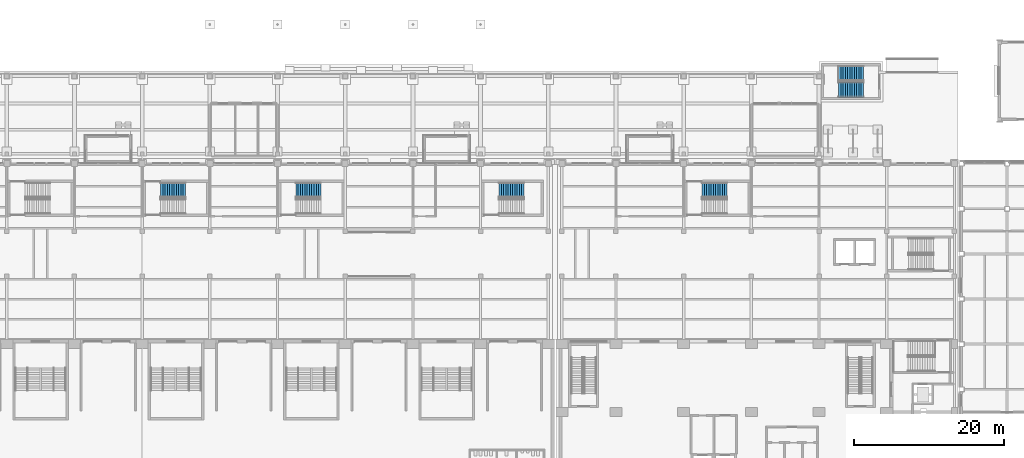
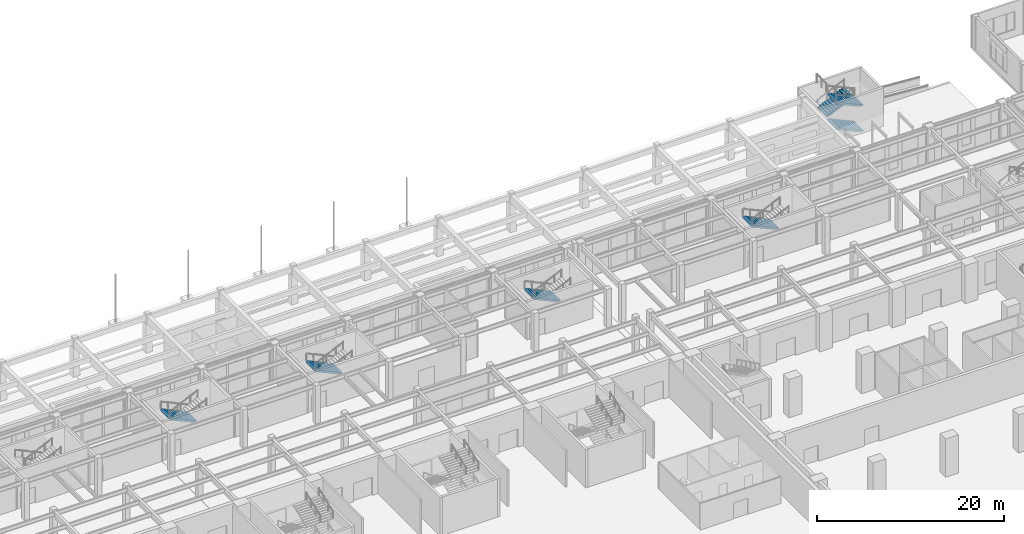
# One storey, part 60 of 77: 7 stair flights, 5 elements without a shape of their own.
"""IFC4 building model written with IfcOpenShell, lengths in metres."""

from ifc_helpers import new_model, si_unit, direction, frame, origin, place, context, subcontext, project, spatial, polyline, outline, extrude, material, type_object, element, aggregate, save


model = new_model("IFC4")

# Units and contexts
model_context = context("Model", 3, precision=1e-05, world=origin(), true_north=direction((0.0, 1.0)))
body_context = subcontext(model_context, "Body", "Model", "MODEL_VIEW")
ifc_project = project(units=[si_unit("LENGTHUNIT", "METRE"), si_unit("AREAUNIT", "SQUARE_METRE"), si_unit("VOLUMEUNIT", "CUBIC_METRE"), si_unit("PLANEANGLEUNIT", "RADIAN"), si_unit("MASSUNIT", "GRAM", prefix="KILO")], contexts=[model_context])

# Site, building, storey
site_placement = place(None, origin())
site = spatial("IfcSite", under=ifc_project, at=site_placement, CompositionType="ELEMENT")
building_placement = place(site_placement, origin())
building = spatial("IfcBuilding", under=site, at=building_placement, Name="Aravalli Gate Trade Fair Centre", CompositionType="ELEMENT")
storey_placement = place(building_placement, origin())
storey = spatial("IfcBuildingStorey", under=building, at=storey_placement, Name="L00", CompositionType="ELEMENT", Elevation=0.0)

# Stair, stair flight
ifc_material = material(Name="Concrete M30", Category="concrete")
stair_type = type_object("IfcStairType", Name="Concourse stair, 2000 wide", PredefinedType="HALF_TURN_STAIR", material=ifc_material)
stair_1_placement = place(storey_placement, origin())
stair_1 = element("IfcStair", 1, at=stair_1_placement, inside=storey, type_object=stair_type, Name="Stair XB L00", PredefinedType="HALF_TURN_STAIR")
stair_flight_type = type_object("IfcStairFlightType", Name="Concourse stair flight 2000", PredefinedType="STRAIGHT", material=ifc_material)
stair_flight_1_placement = place(storey_placement, frame((56.75, 129.5, 1.666748046875), z_axis=(0.0, 0.0, 1.0), x_axis=(-1.0, 0.0, 0.0)))
stair_flight_1 = element("IfcStairFlight", 2, at=stair_flight_1_placement, type_object=stair_flight_type, Name="STXB-L00 flight 2", NumberOfRisers=12, NumberOfTreads=11, PredefinedType="STRAIGHT", RiserHeight=0.138888889, TreadLength=0.3, context=body_context, shape_type="SweptSolid", body=[
    extrude(outline(polyline([(0.0, 0.0), (0.0, 0.138916015625), (0.300048828125, 0.138916015625), (0.300048828125, 0.27783203125), (0.60009765625, 0.27783203125), (0.60009765625, 0.416748046875), (0.89990234375, 0.416748046875), (0.89990234375, 0.5556640625), (1.199951171875, 0.5556640625), (1.199951171875, 0.6943359375), (1.5, 0.6943359375), (1.5, 0.833251953125), (1.800048828125, 0.833251953125), (1.800048828125, 0.97216796875), (2.10009765625, 0.97216796875), (2.10009765625, 1.111083984375), (2.39990234375, 1.111083984375), (2.39990234375, 1.25), (2.699951171875, 1.25), (2.699951171875, 1.388916015625), (3.0, 1.388916015625), (3.0, 1.52783203125), (3.300048828125, 1.52783203125), (3.300048828125, 1.666748046875), (3.300048828125, 1.307373046875), (0.475830078125, 0.0), (0.0, 0.0)])), frame((0.0, 1.0, 0.0), z_axis=(0.0, -1.0, 0.0), x_axis=(1.0, 0.0, 0.0)), (0.0, 0.0, 1.0), 2.0),
])
aggregate(stair_1, [stair_flight_1])

stair_2_placement = place(storey_placement, origin())
stair_2 = element("IfcStair", 3, at=stair_2_placement, inside=storey, type_object=stair_type, Name="Stair XC L00", PredefinedType="HALF_TURN_STAIR")
stair_flight_2_placement = place(storey_placement, frame((74.75, 129.5, 1.666748046875), z_axis=(0.0, 0.0, 1.0), x_axis=(-1.0, 0.0, 0.0)))
stair_flight_2 = element("IfcStairFlight", 4, at=stair_flight_2_placement, type_object=stair_flight_type, Name="STXC-L00 flight 2", NumberOfRisers=12, NumberOfTreads=11, PredefinedType="STRAIGHT", RiserHeight=0.138888889, TreadLength=0.3, context=body_context, shape_type="SweptSolid", body=[
    extrude(outline(polyline([(0.0, 0.0), (0.0, 0.138916015625), (0.300048828125, 0.138916015625), (0.300048828125, 0.27783203125), (0.60009765625, 0.27783203125), (0.60009765625, 0.416748046875), (0.89990234375, 0.416748046875), (0.89990234375, 0.5556640625), (1.199951171875, 0.5556640625), (1.199951171875, 0.6943359375), (1.5, 0.6943359375), (1.5, 0.833251953125), (1.800048828125, 0.833251953125), (1.800048828125, 0.97216796875), (2.10009765625, 0.97216796875), (2.10009765625, 1.111083984375), (2.39990234375, 1.111083984375), (2.39990234375, 1.25), (2.699951171875, 1.25), (2.699951171875, 1.388916015625), (3.0, 1.388916015625), (3.0, 1.52783203125), (3.300048828125, 1.52783203125), (3.300048828125, 1.666748046875), (3.300048828125, 1.307373046875), (0.475830078125, 0.0), (0.0, 0.0)])), frame((0.0, 1.0, 0.0), z_axis=(0.0, -1.0, 0.0), x_axis=(1.0, 0.0, 0.0)), (0.0, 0.0, 1.0), 2.0),
])
aggregate(stair_2, [stair_flight_2])

stair_3_placement = place(storey_placement, origin())
stair_3 = element("IfcStair", 5, at=stair_3_placement, inside=storey, type_object=stair_type, Name="Stair XD L00", PredefinedType="HALF_TURN_STAIR")
stair_flight_3_placement = place(storey_placement, frame((101.75, 129.5, 1.666748046875), z_axis=(0.0, 0.0, 1.0), x_axis=(-1.0, 0.0, 0.0)))
stair_flight_3 = element("IfcStairFlight", 6, at=stair_flight_3_placement, type_object=stair_flight_type, Name="STXD-L00 flight 2", NumberOfRisers=12, NumberOfTreads=11, PredefinedType="STRAIGHT", RiserHeight=0.138888889, TreadLength=0.3, context=body_context, shape_type="SweptSolid", body=[
    extrude(outline(polyline([(0.0, 0.0), (0.0, 0.138916015625), (0.300048828125, 0.138916015625), (0.300048828125, 0.27783203125), (0.60009765625, 0.27783203125), (0.60009765625, 0.416748046875), (0.89990234375, 0.416748046875), (0.89990234375, 0.5556640625), (1.199951171875, 0.5556640625), (1.199951171875, 0.6943359375), (1.5, 0.6943359375), (1.5, 0.833251953125), (1.800048828125, 0.833251953125), (1.800048828125, 0.97216796875), (2.10009765625, 0.97216796875), (2.10009765625, 1.111083984375), (2.39990234375, 1.111083984375), (2.39990234375, 1.25), (2.699951171875, 1.25), (2.699951171875, 1.388916015625), (3.0, 1.388916015625), (3.0, 1.52783203125), (3.300048828125, 1.52783203125), (3.300048828125, 1.666748046875), (3.300048828125, 1.307373046875), (0.475830078125, 0.0), (0.0, 0.0)])), frame((0.0, 1.0, 0.0), z_axis=(0.0, -1.0, 0.0), x_axis=(1.0, 0.0, 0.0)), (0.0, 0.0, 1.0), 2.0),
])
aggregate(stair_3, [stair_flight_3])

stair_4_placement = place(storey_placement, origin())
stair_4 = element("IfcStair", 7, at=stair_4_placement, inside=storey, type_object=stair_type, Name="Stair XE L00", PredefinedType="HALF_TURN_STAIR")
stair_flight_4_placement = place(storey_placement, frame((128.75, 129.5, 1.666748046875), z_axis=(0.0, 0.0, 1.0), x_axis=(-1.0, 0.0, 0.0)))
stair_flight_4 = element("IfcStairFlight", 8, at=stair_flight_4_placement, type_object=stair_flight_type, Name="STXE-L00 flight 2", NumberOfRisers=12, NumberOfTreads=11, PredefinedType="STRAIGHT", RiserHeight=0.138888889, TreadLength=0.3, context=body_context, shape_type="SweptSolid", body=[
    extrude(outline(polyline([(0.0, 0.0), (0.0, 0.138916015625), (0.300048828125, 0.138916015625), (0.300048828125, 0.27783203125), (0.60009765625, 0.27783203125), (0.60009765625, 0.416748046875), (0.89990234375, 0.416748046875), (0.89990234375, 0.5556640625), (1.199951171875, 0.5556640625), (1.199951171875, 0.6943359375), (1.5, 0.6943359375), (1.5, 0.833251953125), (1.800048828125, 0.833251953125), (1.800048828125, 0.97216796875), (2.10009765625, 0.97216796875), (2.10009765625, 1.111083984375), (2.39990234375, 1.111083984375), (2.39990234375, 1.25), (2.699951171875, 1.25), (2.699951171875, 1.388916015625), (3.0, 1.388916015625), (3.0, 1.52783203125), (3.300048828125, 1.52783203125), (3.300048828125, 1.666748046875), (3.300048828125, 1.307373046875), (0.475830078125, 0.0), (0.0, 0.0)])), frame((0.0, 1.0, 0.0), z_axis=(0.0, -1.0, 0.0), x_axis=(1.0, 0.0, 0.0)), (0.0, 0.0, 1.0), 2.0),
])
aggregate(stair_4, [stair_flight_4])

# Stair, stair flights
stair_5_placement = place(storey_placement, origin())
stair_5 = element("IfcStair", 9, at=stair_5_placement, inside=storey, type_object=stair_type, Name="Stair AT L00", PredefinedType="HALF_TURN_STAIR")
stair_flight_5_placement = place(storey_placement, frame((146.89990234375, 142.800048828125, 0.0), z_axis=(0.0, 0.0, 1.0), x_axis=(-1.0, 0.0, 0.0)))
stair_flight_5 = element("IfcStairFlight", 10, at=stair_flight_5_placement, type_object=stair_flight_type, Name="STAT-L00 flight 1", NumberOfRisers=12, NumberOfTreads=11, PredefinedType="STRAIGHT", RiserHeight=0.138888889, TreadLength=0.3, context=body_context, shape_type="SweptSolid", body=[
    extrude(outline(polyline([(0.0, 0.0), (0.0, 0.138916015625), (0.300048828125, 0.138916015625), (0.300048828125, 0.27783203125), (0.60009765625, 0.27783203125), (0.60009765625, 0.416748046875), (0.89990234375, 0.416748046875), (0.89990234375, 0.5556640625), (1.199951171875, 0.5556640625), (1.199951171875, 0.6943359375), (1.5, 0.6943359375), (1.5, 0.833251953125), (1.800048828125, 0.833251953125), (1.800048828125, 0.97216796875), (2.10009765625, 0.97216796875), (2.10009765625, 1.111083984375), (2.39990234375, 1.111083984375), (2.39990234375, 1.25), (2.699951171875, 1.25), (2.699951171875, 1.388916015625), (3.0, 1.388916015625), (3.0, 1.52783203125), (3.300048828125, 1.52783203125), (3.300048828125, 1.666748046875), (3.300048828125, 1.307373046875), (0.475830078125, 0.0), (0.0, 0.0)])), frame((0.0, 1.0, 0.0), z_axis=(0.0, -1.0, 0.0), x_axis=(1.0, 0.0, 0.0)), (0.0, 0.0, 1.0), 2.0),
])
stair_flight_6_placement = place(storey_placement, frame((143.60009765625, 145.0, 1.666748046875), z_axis=(0.0, 0.0, 1.0), x_axis=(1.0, 0.0, 0.0)))
stair_flight_6 = element("IfcStairFlight", 11, at=stair_flight_6_placement, type_object=stair_flight_type, Name="STAT-L00 flight 2", NumberOfRisers=12, NumberOfTreads=11, PredefinedType="STRAIGHT", RiserHeight=0.138888889, TreadLength=0.3, context=body_context, shape_type="SweptSolid", body=[
    extrude(outline(polyline([(0.0, 0.0), (0.0, 0.138916015625), (0.300048828125, 0.138916015625), (0.300048828125, 0.27783203125), (0.60009765625, 0.27783203125), (0.60009765625, 0.416748046875), (0.89990234375, 0.416748046875), (0.89990234375, 0.5556640625), (1.199951171875, 0.5556640625), (1.199951171875, 0.6943359375), (1.5, 0.6943359375), (1.5, 0.833251953125), (1.800048828125, 0.833251953125), (1.800048828125, 0.97216796875), (2.10009765625, 0.97216796875), (2.10009765625, 1.111083984375), (2.39990234375, 1.111083984375), (2.39990234375, 1.25), (2.699951171875, 1.25), (2.699951171875, 1.388916015625), (3.0, 1.388916015625), (3.0, 1.52783203125), (3.300048828125, 1.52783203125), (3.300048828125, 1.666748046875), (3.300048828125, 1.307373046875), (0.475830078125, 0.0), (0.0, 0.0)])), frame((0.0, 1.0, 0.0), z_axis=(0.0, -1.0, 0.0), x_axis=(1.0, 0.0, 0.0)), (0.0, 0.0, 1.0), 2.0),
])
stair_flight_7_placement = place(storey_placement, frame((146.89990234375, 142.800048828125, 3.333251953125), z_axis=(0.0, 0.0, 1.0), x_axis=(-1.0, 0.0, 0.0)))
stair_flight_7 = element("IfcStairFlight", 12, at=stair_flight_7_placement, type_object=stair_flight_type, Name="STAT-L00 flight 3", NumberOfRisers=12, NumberOfTreads=11, PredefinedType="STRAIGHT", RiserHeight=0.138888889, TreadLength=0.3, context=body_context, shape_type="SweptSolid", body=[
    extrude(outline(polyline([(0.0, 0.0), (0.0, 0.138916015625), (0.300048828125, 0.138916015625), (0.300048828125, 0.27783203125), (0.60009765625, 0.27783203125), (0.60009765625, 0.416748046875), (0.89990234375, 0.416748046875), (0.89990234375, 0.5556640625), (1.199951171875, 0.5556640625), (1.199951171875, 0.6943359375), (1.5, 0.6943359375), (1.5, 0.833251953125), (1.800048828125, 0.833251953125), (1.800048828125, 0.97216796875), (2.10009765625, 0.97216796875), (2.10009765625, 1.111083984375), (2.39990234375, 1.111083984375), (2.39990234375, 1.25), (2.699951171875, 1.25), (2.699951171875, 1.388916015625), (3.0, 1.388916015625), (3.0, 1.52783203125), (3.300048828125, 1.52783203125), (3.300048828125, 1.666748046875), (3.300048828125, 1.307373046875), (0.475830078125, 0.0), (0.0, 0.0)])), frame((0.0, 1.0, 0.0), z_axis=(0.0, -1.0, 0.0), x_axis=(1.0, 0.0, 0.0)), (0.0, 0.0, 1.0), 2.0),
])
aggregate(stair_5, [stair_flight_5, stair_flight_6, stair_flight_7])

save(model, "model.ifc")
